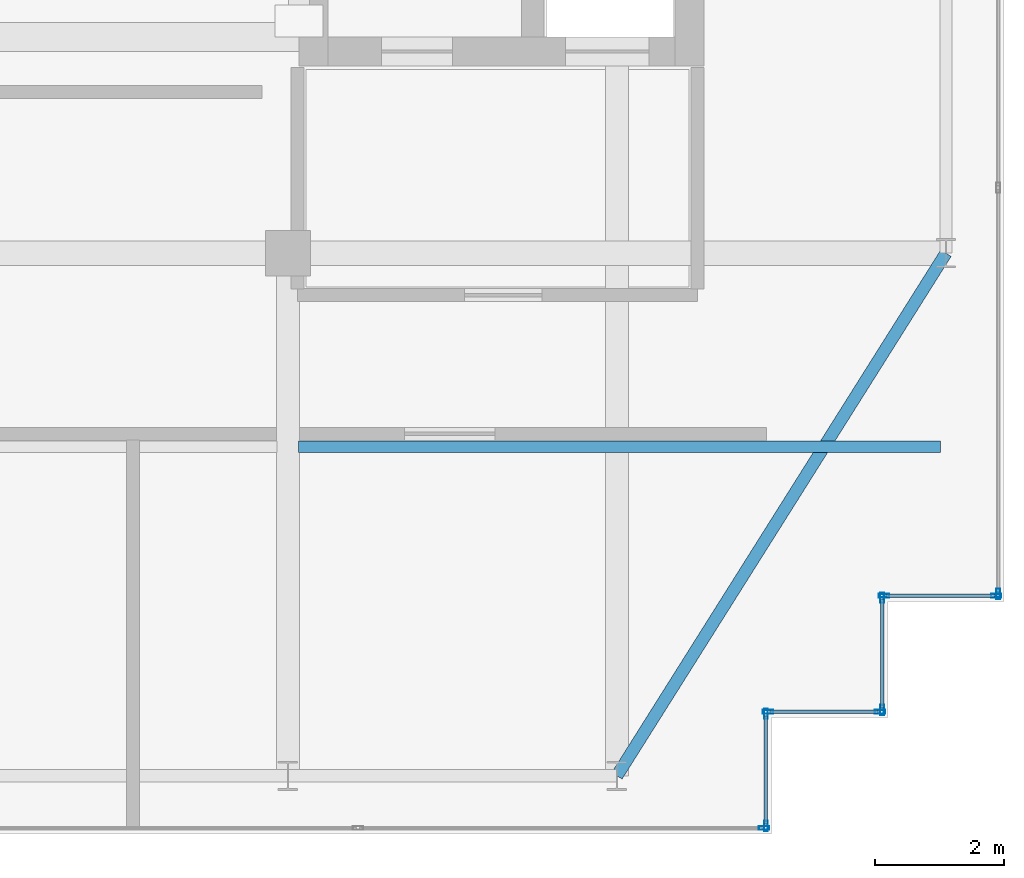
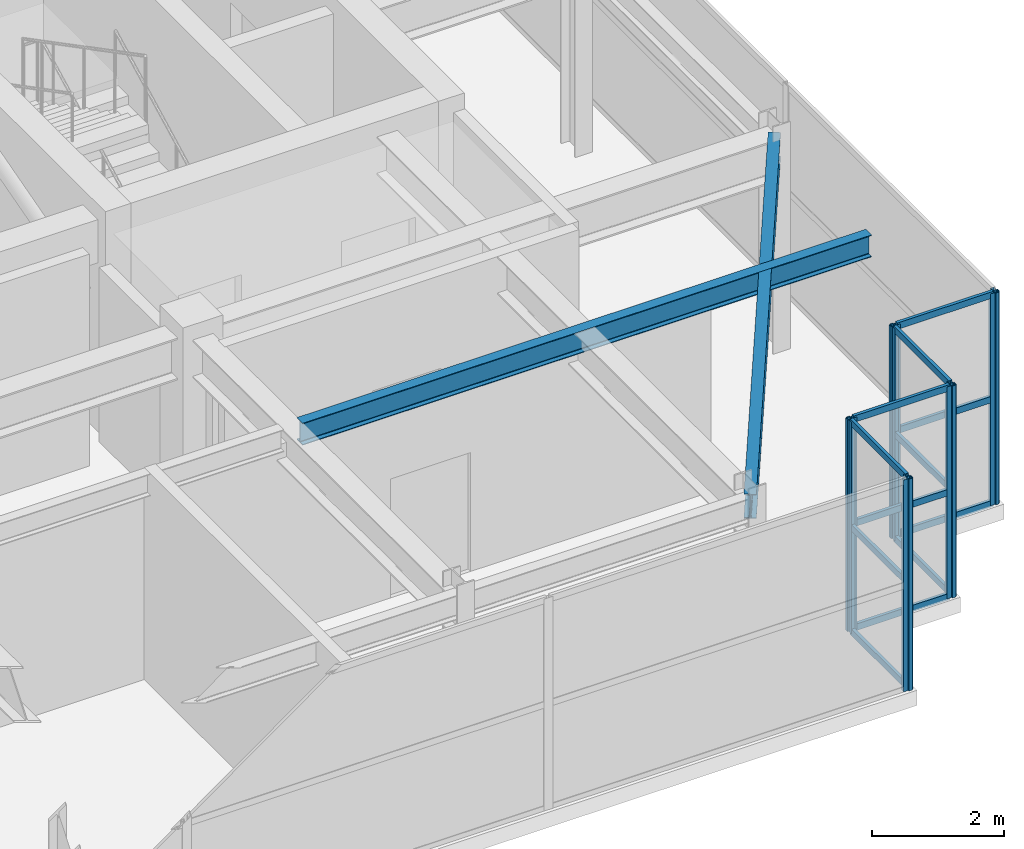
# One storey, part 15 of 32: 22 members, 2 beams, 6 elements without a shape of their own.
"""IFC4 building model written with IfcOpenShell, lengths in metres."""

from ifc_helpers import new_model, si_unit, direction, frame, origin, origin_2d, place, context, subcontext, project, spatial, hollow_rectangle, i_section, extrude, source, transform, mapped, material, layer, layer_set, material_profile, profile_set, type_object, element, aggregate, save


model = new_model("IFC4")

# Units and contexts
model_context = context("Model", 3, precision=1e-05, world=origin(), true_north=direction((0.0, 1.0)))
body_context = subcontext(model_context, "Body", "Model", "MODEL_VIEW")
ifc_project = project(units=[si_unit("LENGTHUNIT", "METRE"), si_unit("AREAUNIT", "SQUARE_METRE"), si_unit("VOLUMEUNIT", "CUBIC_METRE"), si_unit("PLANEANGLEUNIT", "RADIAN"), si_unit("MASSUNIT", "GRAM", prefix="KILO")], contexts=[model_context])

# Site, building, storey
site_placement = place(None, origin())
site = spatial("IfcSite", under=ifc_project, at=site_placement, CompositionType="ELEMENT")
building_placement = place(site_placement, origin())
building = spatial("IfcBuilding", under=site, at=building_placement, Name="Khoralis Quay Care Tower", CompositionType="ELEMENT")
storey_placement = place(building_placement, frame((0.0, 0.0, 297.89990234375)))
storey = spatial("IfcBuildingStorey", under=building, at=storey_placement, Name="L78", CompositionType="ELEMENT", Elevation=297.89990234375)

# Beams
ifc_material_1 = material(Name="Steel S355", Category="steel")
ifc_material_profile_1 = material_profile(ifc_material_1, i_section(OverallWidth=0.18994140625, OverallDepth=0.449951171875, WebThickness=0.009521484375, FlangeThickness=0.0146484375, FilletRadius=0.02099609375, at=origin_2d()), Name="Steel S355")
ifc_profile_set_1 = profile_set([ifc_material_profile_1], Name="Steel S355")
beam_type_1 = type_object("IfcBeamType", Name="BM-IPE450", PredefinedType="SPANDREL", material=ifc_profile_set_1)
shared_shape_1 = source(origin(), body_context, "Body", "SweptSolid", [
    extrude(i_section(OverallWidth=0.18994140625, OverallDepth=0.449951171875, WebThickness=0.009521484375, FlangeThickness=0.0146484375, FilletRadius=0.02099609375, at=origin_2d()), origin(), (0.0, 0.0, 1.0), 9.572021484375),
])
beam_1_placement = place(storey_placement, frame((36.0, 3.89990234375, 3.695068359375), z_axis=(0.532815975602, 0.846231136359, 0.0), x_axis=(-0.846231136359, 0.532815975602, 0.0)))
element("IfcBeam", 1, at=beam_1_placement, inside=storey, type_object=beam_type_1, Name="BM-TCR-L78-18", PredefinedType="SPANDREL", context=body_context, shape_type="MappedRepresentation", body=[
    mapped(shared_shape_1, transform((0.0, 0.0, 0.0), scale=1.0)),
])
ifc_material_profile_2 = material_profile(ifc_material_1, i_section(OverallWidth=0.177978515625, OverallDepth=0.406982421875, WebThickness=0.0078125, FlangeThickness=0.0126953125, FilletRadius=0.012939453125, at=origin_2d()), Name="Steel S355")
ifc_profile_set_2 = profile_set([ifc_material_profile_2], Name="Steel S355")
beam_type_2 = type_object("IfcBeamType", Name="BM-W410X60", PredefinedType="JOIST", material=ifc_profile_set_2)
shared_shape_2 = source(origin(), body_context, "Body", "SweptSolid", [
    extrude(i_section(OverallWidth=0.177978515625, OverallDepth=0.406982421875, WebThickness=0.0078125, FlangeThickness=0.0126953125, FilletRadius=0.012939453125, at=origin_2d()), origin(), (0.0, 0.0, 1.0), 9.95361328125),
])
beam_2_placement = place(storey_placement, frame((31.0654296875, 9.0, 3.716552734375), z_axis=(1.0, 0.0, 0.0), x_axis=(0.0, 1.0, 0.0)))
element("IfcBeam", 2, at=beam_2_placement, inside=storey, type_object=beam_type_2, Name="BM-TJS-L78-22", PredefinedType="JOIST", context=body_context, shape_type="MappedRepresentation", body=[
    mapped(shared_shape_2, transform((0.0, 0.0, 0.0), scale=1.0)),
])

# Curtain wall, member
ifc_material_2 = material(Name="Pale anodised aluminium", Category="aluminium")
ifc_layer = layer(ifc_material_2, 0.199951171875)
ifc_layer_set = layer_set([ifc_layer], Name="Pale anodised aluminium")
curtain_wall_type = type_object("IfcCurtainWallType", Name="CW-SYS-LANTERN", PredefinedType="NOTDEFINED", material=ifc_layer_set)
curtain_wall_1_placement = place(storey_placement, origin())
curtain_wall_1 = element("IfcCurtainWall", 3, at=curtain_wall_1_placement, inside=storey, type_object=curtain_wall_type, Name="L78 Unitised Curtain Wall CW-LN-L78-01", PredefinedType="NOTDEFINED")
ifc_material_profile_3 = material_profile(ifc_material_2, hollow_rectangle(XDim=0.06005859375, YDim=0.159912109375, WallThickness=0.00390625, at=origin_2d()), Name="Pale anodised aluminium")
ifc_profile_set_3 = profile_set([ifc_material_profile_3], Name="Pale anodised aluminium")
member_type_1 = type_object("IfcMemberType", Name="CW-MUL-160", PredefinedType="MULLION", material=ifc_profile_set_3)
shared_shape_3 = source(origin(), body_context, "Body", "SweptSolid", [
    extrude(hollow_rectangle(XDim=0.06005859375, YDim=0.159912109375, WallThickness=0.00390625, at=origin_2d()), origin(), (0.0, 0.0, 1.0), 3.920166015625),
])
member_1_placement = place(storey_placement, frame((38.280029296875, 3.090087890625, 0.0), z_axis=(0.0, 0.0, 1.0), x_axis=(0.0, 1.0, 0.0)))
member_1 = element("IfcMember", 4, at=member_1_placement, type_object=member_type_1, Name="CW5 mullion 6", PredefinedType="MULLION", context=body_context, shape_type="MappedRepresentation", body=[
    mapped(shared_shape_3, transform((0.0, 0.0, 0.0), scale=1.0)),
])
aggregate(curtain_wall_1, [member_1])

# Curtain wall, members
curtain_wall_2_placement = place(storey_placement, origin())
curtain_wall_2 = element("IfcCurtainWall", 5, at=curtain_wall_2_placement, inside=storey, type_object=curtain_wall_type, Name="L78 Unitised Curtain Wall CW-LN-L78-02", PredefinedType="NOTDEFINED")
member_2_placement = place(storey_placement, frame((38.31005859375, 3.1201171875, 0.0), z_axis=(0.0, 0.0, 1.0), x_axis=(-1.0, 0.0, 0.0)))
member_2 = element("IfcMember", 6, at=member_2_placement, type_object=member_type_1, Name="CW5 mullion 1", PredefinedType="MULLION", context=body_context, shape_type="MappedRepresentation", body=[
    mapped(shared_shape_3, transform((0.0, 0.0, 0.0), scale=1.0)),
])
member_3_placement = place(storey_placement, frame((38.31005859375, 4.860107421875, 0.0), z_axis=(0.0, 0.0, 1.0), x_axis=(-1.0, 0.0, 0.0)))
member_3 = element("IfcMember", 7, at=member_3_placement, type_object=member_type_1, Name="CW5 mullion 2", PredefinedType="MULLION", context=body_context, shape_type="MappedRepresentation", body=[
    mapped(shared_shape_3, transform((0.0, 0.0, 0.0), scale=1.0)),
])

curtain_wall_3_placement = place(storey_placement, origin())
curtain_wall_3 = element("IfcCurtainWall", 8, at=curtain_wall_3_placement, inside=storey, type_object=curtain_wall_type, Name="L78 Unitised Curtain Wall CW-LN-L78-03", PredefinedType="NOTDEFINED")
member_4_placement = place(storey_placement, frame((38.340087890625, 4.889892578125, 0.0), z_axis=(0.0, 0.0, 1.0), x_axis=(0.0, 1.0, 0.0)))
member_4 = element("IfcMember", 9, at=member_4_placement, type_object=member_type_1, Name="CW5 mullion 1", PredefinedType="MULLION", context=body_context, shape_type="MappedRepresentation", body=[
    mapped(shared_shape_3, transform((0.0, 0.0, 0.0), scale=1.0)),
])
member_5_placement = place(storey_placement, frame((40.080078125, 4.889892578125, 0.0), z_axis=(0.0, 0.0, 1.0), x_axis=(0.0, 1.0, 0.0)))
member_5 = element("IfcMember", 10, at=member_5_placement, type_object=member_type_1, Name="CW5 mullion 2", PredefinedType="MULLION", context=body_context, shape_type="MappedRepresentation", body=[
    mapped(shared_shape_3, transform((0.0, 0.0, 0.0), scale=1.0)),
])

curtain_wall_4_placement = place(storey_placement, origin())
curtain_wall_4 = element("IfcCurtainWall", 11, at=curtain_wall_4_placement, inside=storey, type_object=curtain_wall_type, Name="L78 Unitised Curtain Wall CW-LN-L78-04", PredefinedType="NOTDEFINED")
member_6_placement = place(storey_placement, frame((40.110107421875, 4.919921875, 0.0), z_axis=(0.0, 0.0, 1.0), x_axis=(-1.0, 0.0, 0.0)))
member_6 = element("IfcMember", 12, at=member_6_placement, type_object=member_type_1, Name="CW5 mullion 1", PredefinedType="MULLION", context=body_context, shape_type="MappedRepresentation", body=[
    mapped(shared_shape_3, transform((0.0, 0.0, 0.0), scale=1.0)),
])
member_7_placement = place(storey_placement, frame((40.110107421875, 6.659912109375, 0.0), z_axis=(0.0, 0.0, 1.0), x_axis=(-1.0, 0.0, 0.0)))
member_7 = element("IfcMember", 13, at=member_7_placement, type_object=member_type_1, Name="CW5 mullion 2", PredefinedType="MULLION", context=body_context, shape_type="MappedRepresentation", body=[
    mapped(shared_shape_3, transform((0.0, 0.0, 0.0), scale=1.0)),
])

curtain_wall_5_placement = place(storey_placement, origin())
curtain_wall_5 = element("IfcCurtainWall", 14, at=curtain_wall_5_placement, inside=storey, type_object=curtain_wall_type, Name="L78 Unitised Curtain Wall CW-LN-L78-05", PredefinedType="NOTDEFINED")
member_8_placement = place(storey_placement, frame((40.139892578125, 6.68994140625, 0.0), z_axis=(0.0, 0.0, 1.0), x_axis=(0.0, 1.0, 0.0)))
member_8 = element("IfcMember", 15, at=member_8_placement, type_object=member_type_1, Name="CW5 mullion 1", PredefinedType="MULLION", context=body_context, shape_type="MappedRepresentation", body=[
    mapped(shared_shape_3, transform((0.0, 0.0, 0.0), scale=1.0)),
])
member_9_placement = place(storey_placement, frame((41.8798828125, 6.68994140625, 0.0), z_axis=(0.0, 0.0, 1.0), x_axis=(0.0, 1.0, 0.0)))
member_9 = element("IfcMember", 16, at=member_9_placement, type_object=member_type_1, Name="CW5 mullion 2", PredefinedType="MULLION", context=body_context, shape_type="MappedRepresentation", body=[
    mapped(shared_shape_3, transform((0.0, 0.0, 0.0), scale=1.0)),
])

# Curtain wall, member
curtain_wall_6_placement = place(storey_placement, origin())
curtain_wall_6 = element("IfcCurtainWall", 17, at=curtain_wall_6_placement, inside=storey, type_object=curtain_wall_type, Name="L78 Unitised Curtain Wall CW-LN-L78-06", PredefinedType="NOTDEFINED")
member_10_placement = place(storey_placement, frame((41.909912109375, 6.719970703125, 0.0), z_axis=(0.0, 0.0, 1.0), x_axis=(-1.0, 0.0, 0.0)))
member_10 = element("IfcMember", 18, at=member_10_placement, type_object=member_type_1, Name="CW5 mullion 1", PredefinedType="MULLION", context=body_context, shape_type="MappedRepresentation", body=[
    mapped(shared_shape_3, transform((0.0, 0.0, 0.0), scale=1.0)),
])
aggregate(curtain_wall_6, [member_10])

# Member
ifc_material_profile_4 = material_profile(ifc_material_2, hollow_rectangle(XDim=0.054931640625, YDim=0.1201171875, WallThickness=0.00390625, at=origin_2d()), Name="Pale anodised aluminium")
ifc_profile_set_4 = profile_set([ifc_material_profile_4], Name="Pale anodised aluminium")
member_type_2 = type_object("IfcMemberType", Name="CW-TRN-120", PredefinedType="USERDEFINED", material=ifc_profile_set_4)
shared_shape_4 = source(origin(), body_context, "Body", "SweptSolid", [
    extrude(hollow_rectangle(XDim=0.054931640625, YDim=0.1201171875, WallThickness=0.00390625, at=origin_2d()), origin(), (0.0, 0.0, 1.0), 1.68017578125),
])
member_11_placement = place(storey_placement, frame((38.31005859375, 3.14990234375, 0.030029296875), z_axis=(0.0, 1.0, 0.0), x_axis=(-1.0, 0.0, 0.0)))
member_11 = element("IfcMember", 19, at=member_11_placement, type_object=member_type_2, Name="CW5 transom 1.1", ObjectType="TRANSOM", PredefinedType="USERDEFINED", context=body_context, shape_type="MappedRepresentation", body=[
    mapped(shared_shape_4, transform((0.0, 0.0, 0.0), scale=1.0)),
])

member_12_placement = place(storey_placement, frame((38.31005859375, 3.14990234375, 1.960205078125), z_axis=(0.0, 1.0, 0.0), x_axis=(-1.0, 0.0, 0.0)))
member_12 = element("IfcMember", 20, at=member_12_placement, type_object=member_type_2, Name="CW5 transom 1.2", ObjectType="TRANSOM", PredefinedType="USERDEFINED", context=body_context, shape_type="MappedRepresentation", body=[
    mapped(shared_shape_4, transform((0.0, 0.0, 0.0), scale=1.0)),
])

member_13_placement = place(storey_placement, frame((38.31005859375, 3.14990234375, 3.89013671875), z_axis=(0.0, 1.0, 0.0), x_axis=(-1.0, 0.0, 0.0)))
member_13 = element("IfcMember", 21, at=member_13_placement, type_object=member_type_2, Name="CW5 transom 1.3", ObjectType="TRANSOM", PredefinedType="USERDEFINED", context=body_context, shape_type="MappedRepresentation", body=[
    mapped(shared_shape_4, transform((0.0, 0.0, 0.0), scale=1.0)),
])

aggregate(curtain_wall_2, [member_2, member_3, member_11, member_12, member_13])

member_14_placement = place(storey_placement, frame((40.169921875, 6.68994140625, 0.030029296875), z_axis=(1.0, 0.0, 0.0), x_axis=(0.0, 1.0, 0.0)))
member_14 = element("IfcMember", 22, at=member_14_placement, type_object=member_type_2, Name="CW5 transom 1.1", ObjectType="TRANSOM", PredefinedType="USERDEFINED", context=body_context, shape_type="MappedRepresentation", body=[
    mapped(shared_shape_4, transform((0.0, 0.0, 0.0), scale=1.0)),
])

member_15_placement = place(storey_placement, frame((40.169921875, 6.68994140625, 1.960205078125), z_axis=(1.0, 0.0, 0.0), x_axis=(0.0, 1.0, 0.0)))
member_15 = element("IfcMember", 23, at=member_15_placement, type_object=member_type_2, Name="CW5 transom 1.2", ObjectType="TRANSOM", PredefinedType="USERDEFINED", context=body_context, shape_type="MappedRepresentation", body=[
    mapped(shared_shape_4, transform((0.0, 0.0, 0.0), scale=1.0)),
])

member_16_placement = place(storey_placement, frame((40.169921875, 6.68994140625, 3.89013671875), z_axis=(1.0, 0.0, 0.0), x_axis=(0.0, 1.0, 0.0)))
member_16 = element("IfcMember", 24, at=member_16_placement, type_object=member_type_2, Name="CW5 transom 1.3", ObjectType="TRANSOM", PredefinedType="USERDEFINED", context=body_context, shape_type="MappedRepresentation", body=[
    mapped(shared_shape_4, transform((0.0, 0.0, 0.0), scale=1.0)),
])

aggregate(curtain_wall_5, [member_8, member_9, member_14, member_15, member_16])

shared_shape_5 = source(origin(), body_context, "Body", "SweptSolid", [
    extrude(hollow_rectangle(XDim=0.054931640625, YDim=0.1201171875, WallThickness=0.00390625, at=origin_2d()), origin(), (0.0, 0.0, 1.0), 1.679931640625),
])
member_17_placement = place(storey_placement, frame((38.3701171875, 4.889892578125, 0.030029296875), z_axis=(1.0, 0.0, 0.0), x_axis=(0.0, 1.0, 0.0)))
member_17 = element("IfcMember", 25, at=member_17_placement, type_object=member_type_2, Name="CW5 transom 1.1", ObjectType="TRANSOM", PredefinedType="USERDEFINED", context=body_context, shape_type="MappedRepresentation", body=[
    mapped(shared_shape_5, transform((0.0, 0.0, 0.0), scale=1.0)),
])

member_18_placement = place(storey_placement, frame((38.3701171875, 4.889892578125, 1.960205078125), z_axis=(1.0, 0.0, 0.0), x_axis=(0.0, 1.0, 0.0)))
member_18 = element("IfcMember", 26, at=member_18_placement, type_object=member_type_2, Name="CW5 transom 1.2", ObjectType="TRANSOM", PredefinedType="USERDEFINED", context=body_context, shape_type="MappedRepresentation", body=[
    mapped(shared_shape_5, transform((0.0, 0.0, 0.0), scale=1.0)),
])

member_19_placement = place(storey_placement, frame((38.3701171875, 4.889892578125, 3.89013671875), z_axis=(1.0, 0.0, 0.0), x_axis=(0.0, 1.0, 0.0)))
member_19 = element("IfcMember", 27, at=member_19_placement, type_object=member_type_2, Name="CW5 transom 1.3", ObjectType="TRANSOM", PredefinedType="USERDEFINED", context=body_context, shape_type="MappedRepresentation", body=[
    mapped(shared_shape_5, transform((0.0, 0.0, 0.0), scale=1.0)),
])

aggregate(curtain_wall_3, [member_4, member_5, member_17, member_18, member_19])

member_20_placement = place(storey_placement, frame((40.110107421875, 4.949951171875, 0.030029296875), z_axis=(0.0, 1.0, 0.0), x_axis=(-1.0, 0.0, 0.0)))
member_20 = element("IfcMember", 28, at=member_20_placement, type_object=member_type_2, Name="CW5 transom 1.1", ObjectType="TRANSOM", PredefinedType="USERDEFINED", context=body_context, shape_type="MappedRepresentation", body=[
    mapped(shared_shape_5, transform((0.0, 0.0, 0.0), scale=1.0)),
])

member_21_placement = place(storey_placement, frame((40.110107421875, 4.949951171875, 1.960205078125), z_axis=(0.0, 1.0, 0.0), x_axis=(-1.0, 0.0, 0.0)))
member_21 = element("IfcMember", 29, at=member_21_placement, type_object=member_type_2, Name="CW5 transom 1.2", ObjectType="TRANSOM", PredefinedType="USERDEFINED", context=body_context, shape_type="MappedRepresentation", body=[
    mapped(shared_shape_5, transform((0.0, 0.0, 0.0), scale=1.0)),
])

member_22_placement = place(storey_placement, frame((40.110107421875, 4.949951171875, 3.89013671875), z_axis=(0.0, 1.0, 0.0), x_axis=(-1.0, 0.0, 0.0)))
member_22 = element("IfcMember", 30, at=member_22_placement, type_object=member_type_2, Name="CW5 transom 1.3", ObjectType="TRANSOM", PredefinedType="USERDEFINED", context=body_context, shape_type="MappedRepresentation", body=[
    mapped(shared_shape_5, transform((0.0, 0.0, 0.0), scale=1.0)),
])

aggregate(curtain_wall_4, [member_6, member_7, member_20, member_21, member_22])

save(model, "model.ifc")
